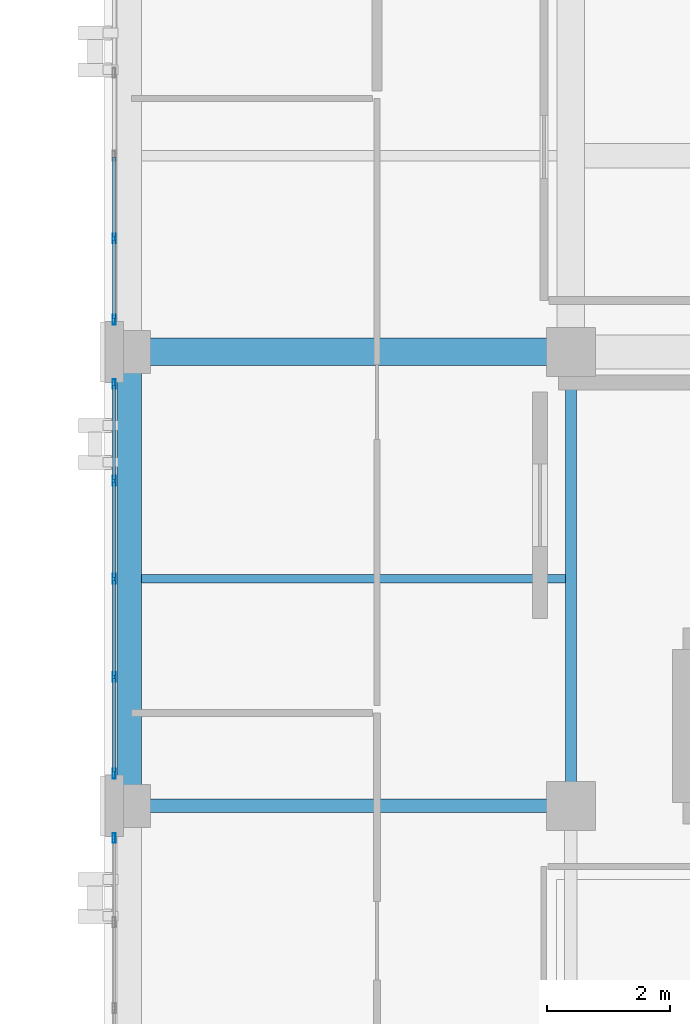
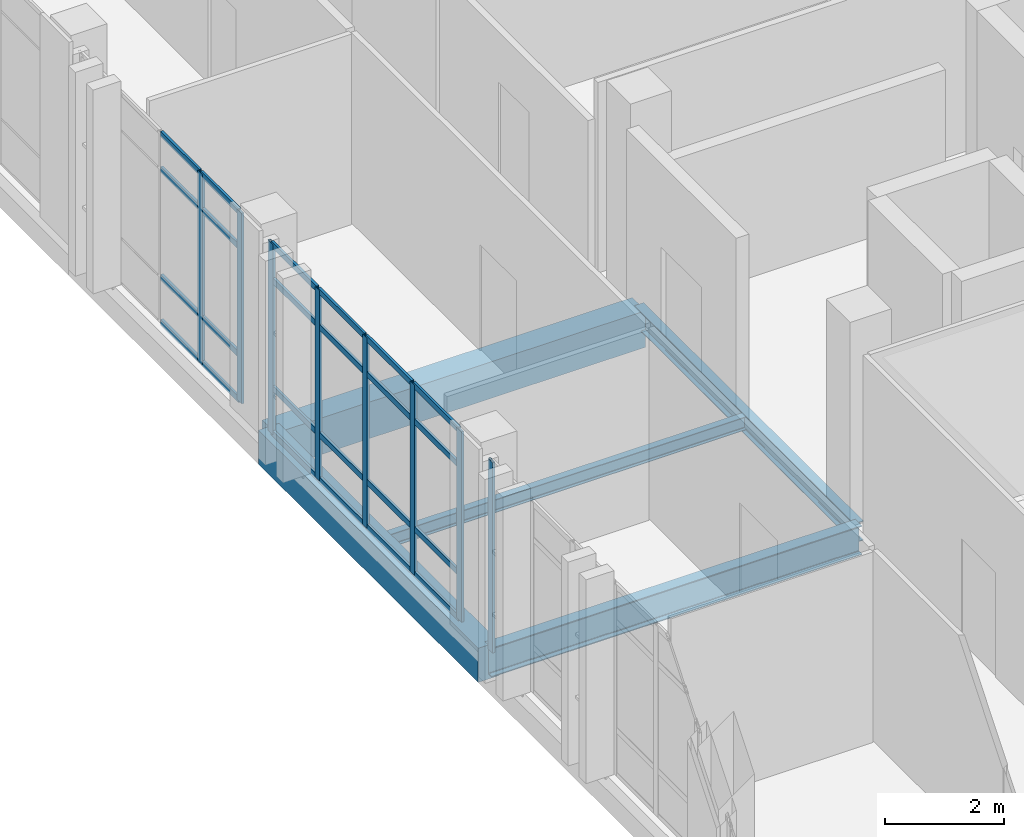
# One storey, part 100 of 193: 32 members, 5 beams, 3 elements without a shape of their own.
"""IFC4 building model written with IfcOpenShell, lengths in metres."""

from ifc_helpers import new_model, si_unit, direction, frame, origin, origin_2d, place, context, subcontext, project, spatial, rectangle, hollow_rectangle, i_section, extrude, material, layer, layer_set, material_profile, profile_set, type_object, element, aggregate, save


model = new_model("IFC4")

# Units and contexts
model_context = context("Model", 3, precision=1e-05, world=origin(), true_north=direction((0.0, 1.0)))
body_context = subcontext(model_context, "Body", "Model", "MODEL_VIEW")
ifc_project = project(units=[si_unit("LENGTHUNIT", "METRE"), si_unit("AREAUNIT", "SQUARE_METRE"), si_unit("VOLUMEUNIT", "CUBIC_METRE"), si_unit("PLANEANGLEUNIT", "RADIAN"), si_unit("MASSUNIT", "GRAM", prefix="KILO")], contexts=[model_context])

# Site, building, storey
site_placement = place(None, origin())
site = spatial("IfcSite", under=ifc_project, at=site_placement, CompositionType="ELEMENT")
building_placement = place(site_placement, origin())
building = spatial("IfcBuilding", under=site, at=building_placement, Name="Qalavern Law Courts", CompositionType="ELEMENT")
storey_placement = place(building_placement, frame((0.0, 0.0, 10.199951171875)))
storey = spatial("IfcBuildingStorey", under=building, at=storey_placement, Name="L02", CompositionType="ELEMENT", Elevation=10.199951171875)

# Curtain wall, members
ifc_material_1 = material(Name="Anodised aluminium and insulated glazing", Category="aluminium")
ifc_layer = layer(ifc_material_1, 0.172119140625)
ifc_layer_set = layer_set([ifc_layer], Name="Anodised aluminium and insulated glazing")
curtain_wall_type = type_object("IfcCurtainWallType", Name="ENV-CW-COURT", PredefinedType="USERDEFINED", material=ifc_layer_set)
curtain_wall_1_placement = place(storey_placement, origin())
curtain_wall_1 = element("IfcCurtainWall", 1, at=curtain_wall_1_placement, inside=storey, type_object=curtain_wall_type, Name="V4 unitised curtain wall L02 west 2", ObjectType="UNITISED CURTAIN WALL", PredefinedType="USERDEFINED")
ifc_material_2 = material(Name="Anodised aluminium", Category="aluminium")
ifc_material_profile_1 = material_profile(ifc_material_2, hollow_rectangle(XDim=0.048095703125, YDim=0.159912109375, WallThickness=0.00390625, at=origin_2d()), Name="ALU MULLION 48x160")
ifc_profile_set_1 = profile_set([ifc_material_profile_1], Name="Anodised aluminium")
member_type_1 = type_object("IfcMemberType", Name="ENV-CWM-48x160", PredefinedType="MULLION", material=ifc_profile_set_1)
member_1_placement = place(storey_placement, frame((84.35498046875, 74.64990234375, 0.0), z_axis=(0.0, 0.0, 1.0), x_axis=(1.0, 0.0, 0.0)))
member_1 = element("IfcMember", 2, at=member_1_placement, type_object=member_type_1, Name="CW-03 mullion 4", PredefinedType="MULLION", context=body_context, shape_type="SweptSolid", body=[
    extrude(hollow_rectangle(XDim=0.048095703125, YDim=0.159912109375, WallThickness=0.00390625, at=origin_2d()), origin(), (0.0, 0.0, 1.0), 3.9150390625),
])
member_2_placement = place(storey_placement, frame((84.35498046875, 73.323974609375, 0.0), z_axis=(0.0, 0.0, 1.0), x_axis=(1.0, 0.0, 0.0)))
member_2 = element("IfcMember", 3, at=member_2_placement, type_object=member_type_1, Name="CW-03 mullion 5", PredefinedType="MULLION", context=body_context, shape_type="SweptSolid", body=[
    extrude(hollow_rectangle(XDim=0.048095703125, YDim=0.159912109375, WallThickness=0.00390625, at=origin_2d()), origin(), (0.0, 0.0, 1.0), 3.9150390625),
])

curtain_wall_2_placement = place(storey_placement, origin())
curtain_wall_2 = element("IfcCurtainWall", 4, at=curtain_wall_2_placement, inside=storey, type_object=curtain_wall_type, Name="V4 unitised curtain wall L02 west 3", ObjectType="UNITISED CURTAIN WALL", PredefinedType="USERDEFINED")
member_3_placement = place(storey_placement, frame((84.35498046875, 72.27587890625, 0.0), z_axis=(0.0, 0.0, 1.0), x_axis=(1.0, 0.0, 0.0)))
member_3 = element("IfcMember", 5, at=member_3_placement, type_object=member_type_1, Name="CW-03 mullion 1", PredefinedType="MULLION", context=body_context, shape_type="SweptSolid", body=[
    extrude(hollow_rectangle(XDim=0.048095703125, YDim=0.159912109375, WallThickness=0.00390625, at=origin_2d()), origin(), (0.0, 0.0, 1.0), 3.9150390625),
])
member_4_placement = place(storey_placement, frame((84.35498046875, 70.699951171875, 0.0), z_axis=(0.0, 0.0, 1.0), x_axis=(1.0, 0.0, 0.0)))
member_4 = element("IfcMember", 6, at=member_4_placement, type_object=member_type_1, Name="CW-03 mullion 2", PredefinedType="MULLION", context=body_context, shape_type="SweptSolid", body=[
    extrude(hollow_rectangle(XDim=0.048095703125, YDim=0.159912109375, WallThickness=0.00390625, at=origin_2d()), origin(), (0.0, 0.0, 1.0), 3.9150390625),
])
member_5_placement = place(storey_placement, frame((84.35498046875, 69.10009765625, 0.0), z_axis=(0.0, 0.0, 1.0), x_axis=(1.0, 0.0, 0.0)))
member_5 = element("IfcMember", 7, at=member_5_placement, type_object=member_type_1, Name="CW-03 mullion 3", PredefinedType="MULLION", context=body_context, shape_type="SweptSolid", body=[
    extrude(hollow_rectangle(XDim=0.048095703125, YDim=0.159912109375, WallThickness=0.00390625, at=origin_2d()), origin(), (0.0, 0.0, 1.0), 3.9150390625),
])
member_6_placement = place(storey_placement, frame((84.35498046875, 67.5, 0.0), z_axis=(0.0, 0.0, 1.0), x_axis=(1.0, 0.0, 0.0)))
member_6 = element("IfcMember", 8, at=member_6_placement, type_object=member_type_1, Name="CW-03 mullion 4", PredefinedType="MULLION", context=body_context, shape_type="SweptSolid", body=[
    extrude(hollow_rectangle(XDim=0.048095703125, YDim=0.159912109375, WallThickness=0.00390625, at=origin_2d()), origin(), (0.0, 0.0, 1.0), 3.9150390625),
])
member_7_placement = place(storey_placement, frame((84.35498046875, 65.924072265625, 0.0), z_axis=(0.0, 0.0, 1.0), x_axis=(1.0, 0.0, 0.0)))
member_7 = element("IfcMember", 9, at=member_7_placement, type_object=member_type_1, Name="CW-03 mullion 5", PredefinedType="MULLION", context=body_context, shape_type="SweptSolid", body=[
    extrude(hollow_rectangle(XDim=0.048095703125, YDim=0.159912109375, WallThickness=0.00390625, at=origin_2d()), origin(), (0.0, 0.0, 1.0), 3.9150390625),
])

# Curtain wall, member
curtain_wall_3_placement = place(storey_placement, origin())
curtain_wall_3 = element("IfcCurtainWall", 10, at=curtain_wall_3_placement, inside=storey, type_object=curtain_wall_type, Name="V4 unitised curtain wall L02 west 4", ObjectType="UNITISED CURTAIN WALL", PredefinedType="USERDEFINED")
member_8_placement = place(storey_placement, frame((84.35498046875, 64.8759765625, 0.0), z_axis=(0.0, 0.0, 1.0), x_axis=(1.0, 0.0, 0.0)))
member_8 = element("IfcMember", 11, at=member_8_placement, type_object=member_type_1, Name="CW-03 mullion 1", PredefinedType="MULLION", context=body_context, shape_type="SweptSolid", body=[
    extrude(hollow_rectangle(XDim=0.048095703125, YDim=0.159912109375, WallThickness=0.00390625, at=origin_2d()), origin(), (0.0, 0.0, 1.0), 3.9150390625),
])
aggregate(curtain_wall_3, [member_8])

# Member
ifc_material_profile_2 = material_profile(ifc_material_2, hollow_rectangle(XDim=0.048095703125, YDim=0.1201171875, WallThickness=0.00390625, at=origin_2d()), Name="ALU TRANSOM 48x120")
ifc_profile_set_2 = profile_set([ifc_material_profile_2], Name="Anodised aluminium")
member_type_2 = type_object("IfcMemberType", Name="ENV-CWT-48x120", PredefinedType="USERDEFINED", material=ifc_profile_set_2)
member_9_placement = place(storey_placement, frame((84.35498046875, 75.97607421875, 0.024169921875), z_axis=(0.0, -1.0, 0.0), x_axis=(1.0, 0.0, 0.0)))
member_9 = element("IfcMember", 12, at=member_9_placement, type_object=member_type_2, Name="CW-03 transom 3.1", ObjectType="TRANSOM", PredefinedType="USERDEFINED", context=body_context, shape_type="SweptSolid", body=[
    extrude(hollow_rectangle(XDim=0.048095703125, YDim=0.1201171875, WallThickness=0.00390625, at=origin_2d()), origin(), (0.0, 0.0, 1.0), 1.302001953125),
])

member_10_placement = place(storey_placement, frame((84.35498046875, 75.97607421875, 0.949951171875), z_axis=(0.0, -1.0, 0.0), x_axis=(1.0, 0.0, 0.0)))
member_10 = element("IfcMember", 13, at=member_10_placement, type_object=member_type_2, Name="CW-03 transom 3.2", ObjectType="TRANSOM", PredefinedType="USERDEFINED", context=body_context, shape_type="SweptSolid", body=[
    extrude(hollow_rectangle(XDim=0.048095703125, YDim=0.1201171875, WallThickness=0.00390625, at=origin_2d()), origin(), (0.0, 0.0, 1.0), 1.302001953125),
])

member_11_placement = place(storey_placement, frame((84.35498046875, 75.97607421875, 3.1650390625), z_axis=(0.0, -1.0, 0.0), x_axis=(1.0, 0.0, 0.0)))
member_11 = element("IfcMember", 14, at=member_11_placement, type_object=member_type_2, Name="CW-03 transom 3.3", ObjectType="TRANSOM", PredefinedType="USERDEFINED", context=body_context, shape_type="SweptSolid", body=[
    extrude(hollow_rectangle(XDim=0.048095703125, YDim=0.1201171875, WallThickness=0.00390625, at=origin_2d()), origin(), (0.0, 0.0, 1.0), 1.302001953125),
])

member_12_placement = place(storey_placement, frame((84.35498046875, 75.97607421875, 3.89111328125), z_axis=(0.0, -1.0, 0.0), x_axis=(1.0, 0.0, 0.0)))
member_12 = element("IfcMember", 15, at=member_12_placement, type_object=member_type_2, Name="CW-03 transom 3.4", ObjectType="TRANSOM", PredefinedType="USERDEFINED", context=body_context, shape_type="SweptSolid", body=[
    extrude(hollow_rectangle(XDim=0.048095703125, YDim=0.1201171875, WallThickness=0.00390625, at=origin_2d()), origin(), (0.0, 0.0, 1.0), 1.302001953125),
])

member_13_placement = place(storey_placement, frame((84.35498046875, 74.6259765625, 0.024169921875), z_axis=(0.0, -1.0, 0.0), x_axis=(1.0, 0.0, 0.0)))
member_13 = element("IfcMember", 16, at=member_13_placement, type_object=member_type_2, Name="CW-03 transom 4.1", ObjectType="TRANSOM", PredefinedType="USERDEFINED", context=body_context, shape_type="SweptSolid", body=[
    extrude(hollow_rectangle(XDim=0.048095703125, YDim=0.1201171875, WallThickness=0.00390625, at=origin_2d()), origin(), (0.0, 0.0, 1.0), 1.278076171875),
])

member_14_placement = place(storey_placement, frame((84.35498046875, 74.6259765625, 0.949951171875), z_axis=(0.0, -1.0, 0.0), x_axis=(1.0, 0.0, 0.0)))
member_14 = element("IfcMember", 17, at=member_14_placement, type_object=member_type_2, Name="CW-03 transom 4.2", ObjectType="TRANSOM", PredefinedType="USERDEFINED", context=body_context, shape_type="SweptSolid", body=[
    extrude(hollow_rectangle(XDim=0.048095703125, YDim=0.1201171875, WallThickness=0.00390625, at=origin_2d()), origin(), (0.0, 0.0, 1.0), 1.278076171875),
])

member_15_placement = place(storey_placement, frame((84.35498046875, 74.6259765625, 3.1650390625), z_axis=(0.0, -1.0, 0.0), x_axis=(1.0, 0.0, 0.0)))
member_15 = element("IfcMember", 18, at=member_15_placement, type_object=member_type_2, Name="CW-03 transom 4.3", ObjectType="TRANSOM", PredefinedType="USERDEFINED", context=body_context, shape_type="SweptSolid", body=[
    extrude(hollow_rectangle(XDim=0.048095703125, YDim=0.1201171875, WallThickness=0.00390625, at=origin_2d()), origin(), (0.0, 0.0, 1.0), 1.278076171875),
])

member_16_placement = place(storey_placement, frame((84.35498046875, 74.6259765625, 3.89111328125), z_axis=(0.0, -1.0, 0.0), x_axis=(1.0, 0.0, 0.0)))
member_16 = element("IfcMember", 19, at=member_16_placement, type_object=member_type_2, Name="CW-03 transom 4.4", ObjectType="TRANSOM", PredefinedType="USERDEFINED", context=body_context, shape_type="SweptSolid", body=[
    extrude(hollow_rectangle(XDim=0.048095703125, YDim=0.1201171875, WallThickness=0.00390625, at=origin_2d()), origin(), (0.0, 0.0, 1.0), 1.278076171875),
])

aggregate(curtain_wall_1, [member_1, member_2, member_9, member_10, member_11, member_12, member_13, member_14, member_15, member_16])

member_17_placement = place(storey_placement, frame((84.35498046875, 72.251953125, 0.024169921875), z_axis=(0.0, -1.0, 0.0), x_axis=(1.0, 0.0, 0.0)))
member_17 = element("IfcMember", 20, at=member_17_placement, type_object=member_type_2, Name="CW-03 transom 1.1", ObjectType="TRANSOM", PredefinedType="USERDEFINED", context=body_context, shape_type="SweptSolid", body=[
    extrude(hollow_rectangle(XDim=0.048095703125, YDim=0.1201171875, WallThickness=0.00390625, at=origin_2d()), origin(), (0.0, 0.0, 1.0), 1.52783203125),
])

member_18_placement = place(storey_placement, frame((84.35498046875, 72.251953125, 0.949951171875), z_axis=(0.0, -1.0, 0.0), x_axis=(1.0, 0.0, 0.0)))
member_18 = element("IfcMember", 21, at=member_18_placement, type_object=member_type_2, Name="CW-03 transom 1.2", ObjectType="TRANSOM", PredefinedType="USERDEFINED", context=body_context, shape_type="SweptSolid", body=[
    extrude(hollow_rectangle(XDim=0.048095703125, YDim=0.1201171875, WallThickness=0.00390625, at=origin_2d()), origin(), (0.0, 0.0, 1.0), 1.52783203125),
])

member_19_placement = place(storey_placement, frame((84.35498046875, 72.251953125, 3.1650390625), z_axis=(0.0, -1.0, 0.0), x_axis=(1.0, 0.0, 0.0)))
member_19 = element("IfcMember", 22, at=member_19_placement, type_object=member_type_2, Name="CW-03 transom 1.3", ObjectType="TRANSOM", PredefinedType="USERDEFINED", context=body_context, shape_type="SweptSolid", body=[
    extrude(hollow_rectangle(XDim=0.048095703125, YDim=0.1201171875, WallThickness=0.00390625, at=origin_2d()), origin(), (0.0, 0.0, 1.0), 1.52783203125),
])

member_20_placement = place(storey_placement, frame((84.35498046875, 72.251953125, 3.89111328125), z_axis=(0.0, -1.0, 0.0), x_axis=(1.0, 0.0, 0.0)))
member_20 = element("IfcMember", 23, at=member_20_placement, type_object=member_type_2, Name="CW-03 transom 1.4", ObjectType="TRANSOM", PredefinedType="USERDEFINED", context=body_context, shape_type="SweptSolid", body=[
    extrude(hollow_rectangle(XDim=0.048095703125, YDim=0.1201171875, WallThickness=0.00390625, at=origin_2d()), origin(), (0.0, 0.0, 1.0), 1.52783203125),
])

member_21_placement = place(storey_placement, frame((84.35498046875, 70.676025390625, 0.024169921875), z_axis=(0.0, -1.0, 0.0), x_axis=(1.0, 0.0, 0.0)))
member_21 = element("IfcMember", 24, at=member_21_placement, type_object=member_type_2, Name="CW-03 transom 2.1", ObjectType="TRANSOM", PredefinedType="USERDEFINED", context=body_context, shape_type="SweptSolid", body=[
    extrude(hollow_rectangle(XDim=0.048095703125, YDim=0.1201171875, WallThickness=0.00390625, at=origin_2d()), origin(), (0.0, 0.0, 1.0), 1.552001953125),
])

member_22_placement = place(storey_placement, frame((84.35498046875, 70.676025390625, 0.949951171875), z_axis=(0.0, -1.0, 0.0), x_axis=(1.0, 0.0, 0.0)))
member_22 = element("IfcMember", 25, at=member_22_placement, type_object=member_type_2, Name="CW-03 transom 2.2", ObjectType="TRANSOM", PredefinedType="USERDEFINED", context=body_context, shape_type="SweptSolid", body=[
    extrude(hollow_rectangle(XDim=0.048095703125, YDim=0.1201171875, WallThickness=0.00390625, at=origin_2d()), origin(), (0.0, 0.0, 1.0), 1.552001953125),
])

member_23_placement = place(storey_placement, frame((84.35498046875, 70.676025390625, 3.1650390625), z_axis=(0.0, -1.0, 0.0), x_axis=(1.0, 0.0, 0.0)))
member_23 = element("IfcMember", 26, at=member_23_placement, type_object=member_type_2, Name="CW-03 transom 2.3", ObjectType="TRANSOM", PredefinedType="USERDEFINED", context=body_context, shape_type="SweptSolid", body=[
    extrude(hollow_rectangle(XDim=0.048095703125, YDim=0.1201171875, WallThickness=0.00390625, at=origin_2d()), origin(), (0.0, 0.0, 1.0), 1.552001953125),
])

member_24_placement = place(storey_placement, frame((84.35498046875, 70.676025390625, 3.89111328125), z_axis=(0.0, -1.0, 0.0), x_axis=(1.0, 0.0, 0.0)))
member_24 = element("IfcMember", 27, at=member_24_placement, type_object=member_type_2, Name="CW-03 transom 2.4", ObjectType="TRANSOM", PredefinedType="USERDEFINED", context=body_context, shape_type="SweptSolid", body=[
    extrude(hollow_rectangle(XDim=0.048095703125, YDim=0.1201171875, WallThickness=0.00390625, at=origin_2d()), origin(), (0.0, 0.0, 1.0), 1.552001953125),
])

member_25_placement = place(storey_placement, frame((84.35498046875, 69.075927734375, 0.024169921875), z_axis=(0.0, -1.0, 0.0), x_axis=(1.0, 0.0, 0.0)))
member_25 = element("IfcMember", 28, at=member_25_placement, type_object=member_type_2, Name="CW-03 transom 3.1", ObjectType="TRANSOM", PredefinedType="USERDEFINED", context=body_context, shape_type="SweptSolid", body=[
    extrude(hollow_rectangle(XDim=0.048095703125, YDim=0.1201171875, WallThickness=0.00390625, at=origin_2d()), origin(), (0.0, 0.0, 1.0), 1.552001953125),
])

member_26_placement = place(storey_placement, frame((84.35498046875, 69.075927734375, 0.949951171875), z_axis=(0.0, -1.0, 0.0), x_axis=(1.0, 0.0, 0.0)))
member_26 = element("IfcMember", 29, at=member_26_placement, type_object=member_type_2, Name="CW-03 transom 3.2", ObjectType="TRANSOM", PredefinedType="USERDEFINED", context=body_context, shape_type="SweptSolid", body=[
    extrude(hollow_rectangle(XDim=0.048095703125, YDim=0.1201171875, WallThickness=0.00390625, at=origin_2d()), origin(), (0.0, 0.0, 1.0), 1.552001953125),
])

member_27_placement = place(storey_placement, frame((84.35498046875, 69.075927734375, 3.1650390625), z_axis=(0.0, -1.0, 0.0), x_axis=(1.0, 0.0, 0.0)))
member_27 = element("IfcMember", 30, at=member_27_placement, type_object=member_type_2, Name="CW-03 transom 3.3", ObjectType="TRANSOM", PredefinedType="USERDEFINED", context=body_context, shape_type="SweptSolid", body=[
    extrude(hollow_rectangle(XDim=0.048095703125, YDim=0.1201171875, WallThickness=0.00390625, at=origin_2d()), origin(), (0.0, 0.0, 1.0), 1.552001953125),
])

member_28_placement = place(storey_placement, frame((84.35498046875, 69.075927734375, 3.89111328125), z_axis=(0.0, -1.0, 0.0), x_axis=(1.0, 0.0, 0.0)))
member_28 = element("IfcMember", 31, at=member_28_placement, type_object=member_type_2, Name="CW-03 transom 3.4", ObjectType="TRANSOM", PredefinedType="USERDEFINED", context=body_context, shape_type="SweptSolid", body=[
    extrude(hollow_rectangle(XDim=0.048095703125, YDim=0.1201171875, WallThickness=0.00390625, at=origin_2d()), origin(), (0.0, 0.0, 1.0), 1.552001953125),
])

member_29_placement = place(storey_placement, frame((84.35498046875, 67.47607421875, 0.024169921875), z_axis=(0.0, -1.0, 0.0), x_axis=(1.0, 0.0, 0.0)))
member_29 = element("IfcMember", 32, at=member_29_placement, type_object=member_type_2, Name="CW-03 transom 4.1", ObjectType="TRANSOM", PredefinedType="USERDEFINED", context=body_context, shape_type="SweptSolid", body=[
    extrude(hollow_rectangle(XDim=0.048095703125, YDim=0.1201171875, WallThickness=0.00390625, at=origin_2d()), origin(), (0.0, 0.0, 1.0), 1.528076171875),
])

member_30_placement = place(storey_placement, frame((84.35498046875, 67.47607421875, 0.949951171875), z_axis=(0.0, -1.0, 0.0), x_axis=(1.0, 0.0, 0.0)))
member_30 = element("IfcMember", 33, at=member_30_placement, type_object=member_type_2, Name="CW-03 transom 4.2", ObjectType="TRANSOM", PredefinedType="USERDEFINED", context=body_context, shape_type="SweptSolid", body=[
    extrude(hollow_rectangle(XDim=0.048095703125, YDim=0.1201171875, WallThickness=0.00390625, at=origin_2d()), origin(), (0.0, 0.0, 1.0), 1.528076171875),
])

member_31_placement = place(storey_placement, frame((84.35498046875, 67.47607421875, 3.1650390625), z_axis=(0.0, -1.0, 0.0), x_axis=(1.0, 0.0, 0.0)))
member_31 = element("IfcMember", 34, at=member_31_placement, type_object=member_type_2, Name="CW-03 transom 4.3", ObjectType="TRANSOM", PredefinedType="USERDEFINED", context=body_context, shape_type="SweptSolid", body=[
    extrude(hollow_rectangle(XDim=0.048095703125, YDim=0.1201171875, WallThickness=0.00390625, at=origin_2d()), origin(), (0.0, 0.0, 1.0), 1.528076171875),
])

member_32_placement = place(storey_placement, frame((84.35498046875, 67.47607421875, 3.89111328125), z_axis=(0.0, -1.0, 0.0), x_axis=(1.0, 0.0, 0.0)))
member_32 = element("IfcMember", 35, at=member_32_placement, type_object=member_type_2, Name="CW-03 transom 4.4", ObjectType="TRANSOM", PredefinedType="USERDEFINED", context=body_context, shape_type="SweptSolid", body=[
    extrude(hollow_rectangle(XDim=0.048095703125, YDim=0.1201171875, WallThickness=0.00390625, at=origin_2d()), origin(), (0.0, 0.0, 1.0), 1.528076171875),
])

aggregate(curtain_wall_2, [member_3, member_4, member_5, member_6, member_7, member_17, member_18, member_19, member_20, member_21, member_22, member_23, member_24, member_25, member_26, member_27, member_28, member_29, member_30, member_31, member_32])

# Beams
ifc_material_3 = material(Name="Steel S355", Category="steel")
ifc_material_profile_3 = material_profile(ifc_material_3, i_section(OverallWidth=0.179931640625, OverallDepth=0.39990234375, WebThickness=0.008544921875, FlangeThickness=0.013427734375, FilletRadius=0.02099609375, at=origin_2d()), Name="IPE 400")
ifc_profile_set_3 = profile_set([ifc_material_profile_3], Name="Steel S355")
beam_type_1 = type_object("IfcBeamType", Name="STR-BM-IPE400", PredefinedType="BEAM", material=ifc_profile_set_3)
beam_1_placement = place(storey_placement, frame((91.800048828125, 65.39990234375, -0.489990234375), z_axis=(0.0, 1.0, 0.0), x_axis=(-1.0, 0.0, 0.0)))
element("IfcBeam", 36, at=beam_1_placement, inside=storey, type_object=beam_type_1, Name="V4 Y-beam 2-3 L02", PredefinedType="BEAM", context=body_context, shape_type="SweptSolid", body=[
    extrude(i_section(OverallWidth=0.179931640625, OverallDepth=0.39990234375, WebThickness=0.008544921875, FlangeThickness=0.013427734375, FilletRadius=0.02099609375, at=origin_2d()), origin(), (0.0, 0.0, 1.0), 7.400146484375),
])
ifc_material_profile_4 = material_profile(ifc_material_3, i_section(OverallWidth=0.219970703125, OverallDepth=0.60009765625, WebThickness=0.011962890625, FlangeThickness=0.01904296875, FilletRadius=0.02392578125, at=origin_2d()), Name="IPE 600")
ifc_profile_set_4 = profile_set([ifc_material_profile_4], Name="Steel S355")
beam_type_2 = type_object("IfcBeamType", Name="STR-BM-IPE600", PredefinedType="BEAM", material=ifc_profile_set_4)
beam_2_placement = place(storey_placement, frame((84.60009765625, 65.39990234375, -0.58984375), z_axis=(1.0, 0.0, 0.0), x_axis=(0.0, 1.0, 0.0)))
element("IfcBeam", 37, at=beam_2_placement, inside=storey, type_object=beam_type_2, Name="V4 X-beam 4-1 L02", PredefinedType="BEAM", context=body_context, shape_type="SweptSolid", body=[
    extrude(i_section(OverallWidth=0.219970703125, OverallDepth=0.60009765625, WebThickness=0.011962890625, FlangeThickness=0.01904296875, FilletRadius=0.02392578125, at=origin_2d()), origin(), (0.0, 0.0, 1.0), 7.199951171875),
])
ifc_material_4 = material(Name="Concrete C40/50", Category="concrete")
ifc_material_profile_5 = material_profile(ifc_material_4, rectangle(XDim=0.449951171875, YDim=0.75, at=origin_2d()), Name="RC 450x750")
ifc_profile_set_5 = profile_set([ifc_material_profile_5], Name="Concrete C40/50")
beam_type_3 = type_object("IfcBeamType", Name="STR-BM-RC450x750", PredefinedType="BEAM", material=ifc_profile_set_5)
beam_3_placement = place(storey_placement, frame((84.60009765625, 72.800048828125, -0.6650390625), z_axis=(1.0, 0.0, 0.0), x_axis=(0.0, 1.0, 0.0)))
element("IfcBeam", 38, at=beam_3_placement, inside=storey, type_object=beam_type_3, Name="V4 X-beam 5-1 L02", PredefinedType="BEAM", context=body_context, shape_type="SweptSolid", body=[
    extrude(rectangle(XDim=0.449951171875, YDim=0.75, at=origin_2d()), origin(), (0.0, 0.0, 1.0), 7.199951171875),
])
ifc_material_profile_6 = material_profile(ifc_material_3, i_section(OverallWidth=0.135009765625, OverallDepth=0.27001953125, WebThickness=0.006591796875, FlangeThickness=0.01025390625, FilletRadius=0.014892578125, at=origin_2d()), Name="IPE 270")
ifc_profile_set_6 = profile_set([ifc_material_profile_6], Name="Steel S355")
beam_type_4 = type_object("IfcBeamType", Name="STR-JST-IPE270", PredefinedType="JOIST", material=ifc_profile_set_6)
beam_4_placement = place(storey_placement, frame((84.798095703125, 69.10009765625, -0.425048828125), z_axis=(1.0, 0.0, 0.0), x_axis=(0.0, 1.0, 0.0)))
element("IfcBeam", 39, at=beam_4_placement, inside=storey, type_object=beam_type_4, Name="V4 secondary joist 1.4.1 L02", PredefinedType="JOIST", context=body_context, shape_type="SweptSolid", body=[
    extrude(i_section(OverallWidth=0.135009765625, OverallDepth=0.27001953125, WebThickness=0.006591796875, FlangeThickness=0.01025390625, FilletRadius=0.014892578125, at=origin_2d()), origin(), (0.0, 0.0, 1.0), 6.913818359375),
])
ifc_material_profile_7 = material_profile(ifc_material_4, rectangle(XDim=0.39990234375, YDim=0.699951171875, at=origin_2d()), Name="RC 400x700")
ifc_profile_set_7 = profile_set([ifc_material_profile_7], Name="Concrete C40/50")
beam_type_5 = type_object("IfcBeamType", Name="STR-SP-RC400x700", PredefinedType="SPANDREL", material=ifc_profile_set_7)
beam_5_placement = place(storey_placement, frame((84.60009765625, 65.39990234375, -0.639892578125), z_axis=(0.0, 1.0, 0.0), x_axis=(-1.0, 0.0, 0.0)))
element("IfcBeam", 40, at=beam_5_placement, inside=storey, type_object=beam_type_5, Name="V4 Y-beam 1-4 L02", PredefinedType="SPANDREL", context=body_context, shape_type="SweptSolid", body=[
    extrude(rectangle(XDim=0.39990234375, YDim=0.699951171875, at=origin_2d()), origin(), (0.0, 0.0, 1.0), 7.400146484375),
])

save(model, "model.ifc")
